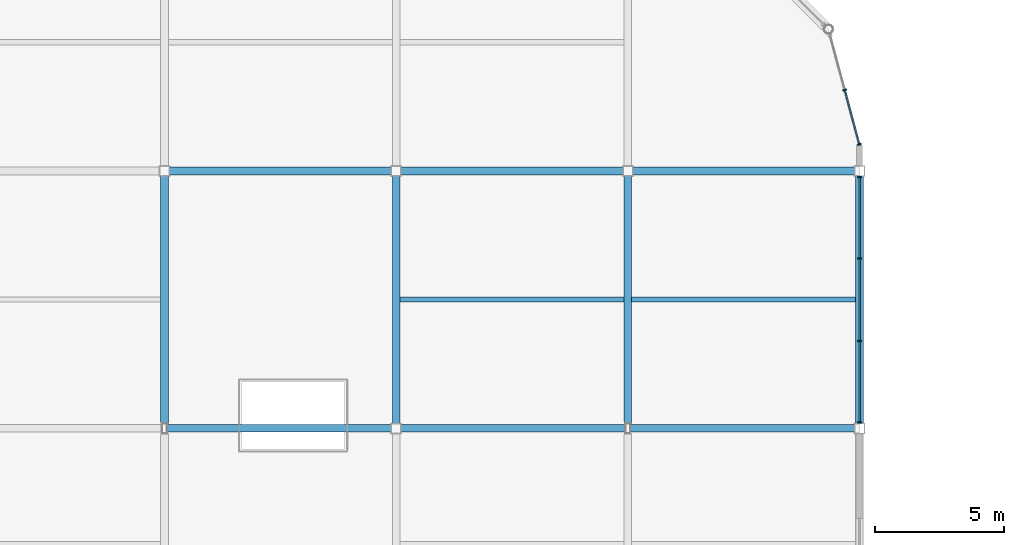
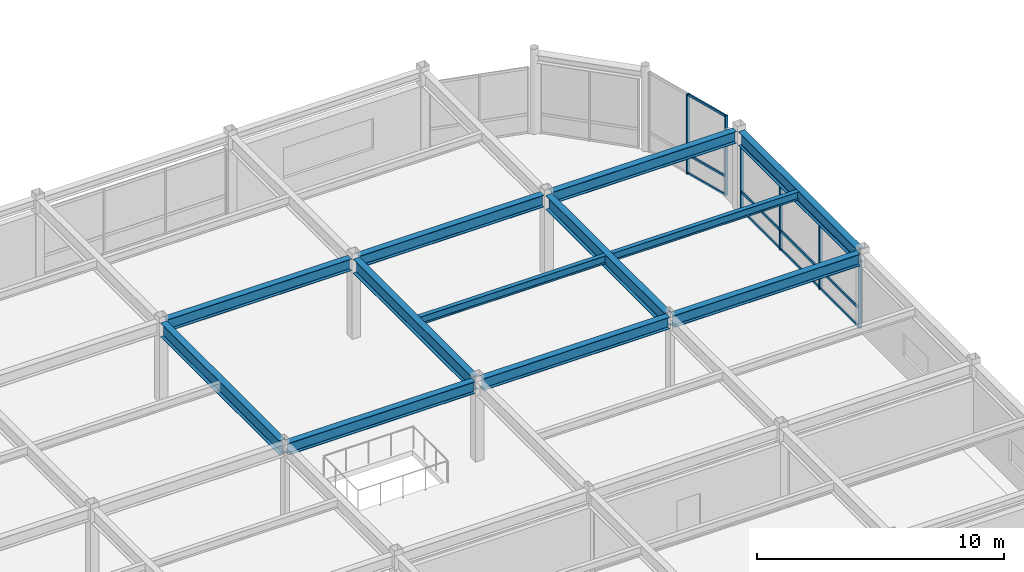
# One storey, part 50 of 108: 18 members, 12 beams, 2 elements without a shape of their own.
"""IFC4 building model written with IfcOpenShell, lengths in metres."""

from ifc_helpers import new_model, si_unit, direction, frame, origin, origin_2d, place, context, subcontext, project, spatial, rectangle, i_section, extrude, material, material_profile, profile_set, type_object, element, aggregate, save


model = new_model("IFC4")

# Units and contexts
model_context = context("Model", 3, precision=1e-05, world=origin(), true_north=direction((0.0, 1.0)))
body_context = subcontext(model_context, "Body", "Model", "MODEL_VIEW")
ifc_project = project(units=[si_unit("LENGTHUNIT", "METRE"), si_unit("AREAUNIT", "SQUARE_METRE"), si_unit("VOLUMEUNIT", "CUBIC_METRE"), si_unit("PLANEANGLEUNIT", "RADIAN"), si_unit("MASSUNIT", "GRAM", prefix="KILO")], contexts=[model_context])

# Site, building, storey
site_placement = place(None, origin())
site = spatial("IfcSite", under=ifc_project, at=site_placement, CompositionType="ELEMENT")
building_placement = place(site_placement, origin())
building = spatial("IfcBuilding", under=site, at=building_placement, Name="Suzunagisa Mobility Hub", CompositionType="ELEMENT")
storey_placement = place(building_placement, frame((0.0, 0.0, 9.300048828125)))
storey = spatial("IfcBuildingStorey", under=building, at=storey_placement, Name="L02", CompositionType="ELEMENT", Elevation=9.300048828125)

# Curtain wall, members
ifc_material_1 = material(Name="Thermally Broken Anodized Aluminum and Low-E Glazing", Category="aluminium")
curtain_wall_type_1 = type_object("IfcCurtainWallType", Name="Unitised Curtain Wall CW-07 9500x3200", PredefinedType="USERDEFINED", material=ifc_material_1)
curtain_wall_1_placement = place(storey_placement, origin())
curtain_wall_1 = element("IfcCurtainWall", 1, at=curtain_wall_1_placement, inside=storey, type_object=curtain_wall_type_1, Name="L02 Unitised Curtain Wall CW-112", ObjectType="UNITISED CURTAIN WALL", PredefinedType="USERDEFINED")
ifc_material_2 = material(Name="Anodized Aluminum 6063-T6", Category="aluminium")
ifc_material_profile_1 = material_profile(ifc_material_2, rectangle(XDim=0.06494140625, YDim=0.139892578125, at=origin_2d()), Name="TRAN-65x140")
ifc_profile_set_1 = profile_set([ifc_material_profile_1], Name="Anodized Aluminum 6063-T6")
member_type_1 = type_object("IfcMemberType", Name="Curtain Wall Framing CM-01 TRAN-65x140", PredefinedType="USERDEFINED", material=ifc_profile_set_1)
member_1_placement = place(storey_placement, frame((126.0, 98.258056640625, 0.032470703125), z_axis=(0.0, 1.0, 0.0), x_axis=(-1.0, 0.0, 0.0)))
member_1 = element("IfcMember", 2, at=member_1_placement, type_object=member_type_1, Name="Curtain Wall Transom 112-T1.1", ObjectType="TRANSOM", PredefinedType="USERDEFINED", context=body_context, shape_type="SweptSolid", body=[
    extrude(rectangle(XDim=0.06494140625, YDim=0.139892578125, at=origin_2d()), origin(), (0.0, 0.0, 1.0), 3.114013671875),
])
member_2_placement = place(storey_placement, frame((126.0, 98.258056640625, 0.949951171875), z_axis=(0.0, 1.0, 0.0), x_axis=(-1.0, 0.0, 0.0)))
member_2 = element("IfcMember", 3, at=member_2_placement, type_object=member_type_1, Name="Curtain Wall Transom 112-T1.2", ObjectType="TRANSOM", PredefinedType="USERDEFINED", context=body_context, shape_type="SweptSolid", body=[
    extrude(rectangle(XDim=0.06494140625, YDim=0.139892578125, at=origin_2d()), origin(), (0.0, 0.0, 1.0), 3.114013671875),
])
member_3_placement = place(storey_placement, frame((126.0, 98.258056640625, 3.217529296875), z_axis=(0.0, 1.0, 0.0), x_axis=(-1.0, 0.0, 0.0)))
member_3 = element("IfcMember", 4, at=member_3_placement, type_object=member_type_1, Name="Curtain Wall Transom 112-T1.3", ObjectType="TRANSOM", PredefinedType="USERDEFINED", context=body_context, shape_type="SweptSolid", body=[
    extrude(rectangle(XDim=0.06494140625, YDim=0.139892578125, at=origin_2d()), origin(), (0.0, 0.0, 1.0), 3.114013671875),
])
member_4_placement = place(storey_placement, frame((126.0, 101.427978515625, 0.032470703125), z_axis=(0.0, 1.0, 0.0), x_axis=(-1.0, 0.0, 0.0)))
member_4 = element("IfcMember", 5, at=member_4_placement, type_object=member_type_1, Name="Curtain Wall Transom 112-T2.1", ObjectType="TRANSOM", PredefinedType="USERDEFINED", context=body_context, shape_type="SweptSolid", body=[
    extrude(rectangle(XDim=0.06494140625, YDim=0.139892578125, at=origin_2d()), origin(), (0.0, 0.0, 1.0), 3.14404296875),
])
member_5_placement = place(storey_placement, frame((126.0, 101.427978515625, 0.949951171875), z_axis=(0.0, 1.0, 0.0), x_axis=(-1.0, 0.0, 0.0)))
member_5 = element("IfcMember", 6, at=member_5_placement, type_object=member_type_1, Name="Curtain Wall Transom 112-T2.2", ObjectType="TRANSOM", PredefinedType="USERDEFINED", context=body_context, shape_type="SweptSolid", body=[
    extrude(rectangle(XDim=0.06494140625, YDim=0.139892578125, at=origin_2d()), origin(), (0.0, 0.0, 1.0), 3.14404296875),
])
member_6_placement = place(storey_placement, frame((126.0, 101.427978515625, 3.217529296875), z_axis=(0.0, 1.0, 0.0), x_axis=(-1.0, 0.0, 0.0)))
member_6 = element("IfcMember", 7, at=member_6_placement, type_object=member_type_1, Name="Curtain Wall Transom 112-T2.3", ObjectType="TRANSOM", PredefinedType="USERDEFINED", context=body_context, shape_type="SweptSolid", body=[
    extrude(rectangle(XDim=0.06494140625, YDim=0.139892578125, at=origin_2d()), origin(), (0.0, 0.0, 1.0), 3.14404296875),
])
member_7_placement = place(storey_placement, frame((126.0, 104.6279296875, 0.032470703125), z_axis=(0.0, 1.0, 0.0), x_axis=(-1.0, 0.0, 0.0)))
member_7 = element("IfcMember", 8, at=member_7_placement, type_object=member_type_1, Name="Curtain Wall Transom 112-T3.1", ObjectType="TRANSOM", PredefinedType="USERDEFINED", context=body_context, shape_type="SweptSolid", body=[
    extrude(rectangle(XDim=0.06494140625, YDim=0.139892578125, at=origin_2d()), origin(), (0.0, 0.0, 1.0), 3.114013671875),
])
member_8_placement = place(storey_placement, frame((126.0, 104.6279296875, 0.949951171875), z_axis=(0.0, 1.0, 0.0), x_axis=(-1.0, 0.0, 0.0)))
member_8 = element("IfcMember", 9, at=member_8_placement, type_object=member_type_1, Name="Curtain Wall Transom 112-T3.2", ObjectType="TRANSOM", PredefinedType="USERDEFINED", context=body_context, shape_type="SweptSolid", body=[
    extrude(rectangle(XDim=0.06494140625, YDim=0.139892578125, at=origin_2d()), origin(), (0.0, 0.0, 1.0), 3.114013671875),
])
member_9_placement = place(storey_placement, frame((126.0, 104.6279296875, 3.217529296875), z_axis=(0.0, 1.0, 0.0), x_axis=(-1.0, 0.0, 0.0)))
member_9 = element("IfcMember", 10, at=member_9_placement, type_object=member_type_1, Name="Curtain Wall Transom 112-T3.3", ObjectType="TRANSOM", PredefinedType="USERDEFINED", context=body_context, shape_type="SweptSolid", body=[
    extrude(rectangle(XDim=0.06494140625, YDim=0.139892578125, at=origin_2d()), origin(), (0.0, 0.0, 1.0), 3.114013671875),
])

curtain_wall_type_2 = type_object("IfcCurtainWallType", Name="Unitised Curtain Wall CW-42 4500x4000", PredefinedType="USERDEFINED", material=ifc_material_1)
curtain_wall_2_placement = place(storey_placement, origin())
curtain_wall_2 = element("IfcCurtainWall", 11, at=curtain_wall_2_placement, inside=storey, type_object=curtain_wall_type_2, Name="L02 Unitised Curtain Wall CW-113", ObjectType="UNITISED CURTAIN WALL", PredefinedType="USERDEFINED")
ifc_material_profile_2 = material_profile(ifc_material_2, rectangle(XDim=0.06005859375, YDim=0.1201171875, at=origin_2d()), Name="TRAN-60x120")
ifc_profile_set_2 = profile_set([ifc_material_profile_2], Name="Anodized Aluminum 6063-T6")
member_type_2 = type_object("IfcMemberType", Name="Curtain Wall Framing CM-02 TRAN-60x120", PredefinedType="USERDEFINED", material=ifc_profile_set_2)
member_10_placement = place(storey_placement, frame((125.985107421875, 109.055908203125, 0.030029296875), z_axis=(-0.258808494253, 0.965928653319, 0.0), x_axis=(-0.965928653319, -0.258808494253, 0.0)))
member_10 = element("IfcMember", 12, at=member_10_placement, type_object=member_type_2, Name="Curtain Wall Transom 113-T1.1", ObjectType="TRANSOM", PredefinedType="USERDEFINED", context=body_context, shape_type="SweptSolid", body=[
    extrude(rectangle(XDim=0.06005859375, YDim=0.1201171875, at=origin_2d()), origin(), (0.0, 0.0, 1.0), 2.134765625),
])
member_11_placement = place(storey_placement, frame((125.985107421875, 109.055908203125, 0.949951171875), z_axis=(-0.258808494253, 0.965928653319, 0.0), x_axis=(-0.965928653319, -0.258808494253, 0.0)))
member_11 = element("IfcMember", 13, at=member_11_placement, type_object=member_type_2, Name="Curtain Wall Transom 113-T1.2", ObjectType="TRANSOM", PredefinedType="USERDEFINED", context=body_context, shape_type="SweptSolid", body=[
    extrude(rectangle(XDim=0.06005859375, YDim=0.1201171875, at=origin_2d()), origin(), (0.0, 0.0, 1.0), 2.134765625),
])
member_12_placement = place(storey_placement, frame((125.985107421875, 109.055908203125, 3.919921875), z_axis=(-0.258808494253, 0.965928653319, 0.0), x_axis=(-0.965928653319, -0.258808494253, 0.0)))
member_12 = element("IfcMember", 14, at=member_12_placement, type_object=member_type_2, Name="Curtain Wall Transom 113-T1.3", ObjectType="TRANSOM", PredefinedType="USERDEFINED", context=body_context, shape_type="SweptSolid", body=[
    extrude(rectangle(XDim=0.06005859375, YDim=0.1201171875, at=origin_2d()), origin(), (0.0, 0.0, 1.0), 2.134765625),
])

# Member
ifc_material_profile_3 = material_profile(ifc_material_2, rectangle(XDim=0.06005859375, YDim=0.14990234375, at=origin_2d()), Name="MULL-60x150")
ifc_profile_set_3 = profile_set([ifc_material_profile_3], Name="Anodized Aluminum 6063-T6")
member_type_3 = type_object("IfcMemberType", Name="Curtain Wall Framing CM-03 MULL-60x150", PredefinedType="MULLION", material=ifc_profile_set_3)
member_13_placement = place(storey_placement, frame((126.0, 98.22998046875, 0.0), z_axis=(0.0, 0.0, 1.0), x_axis=(0.0, 1.0, 0.0)))
member_13 = element("IfcMember", 15, at=member_13_placement, type_object=member_type_3, Name="Curtain Wall Mullion 112-M1", PredefinedType="MULLION", context=body_context, shape_type="SweptSolid", body=[
    extrude(rectangle(XDim=0.06005859375, YDim=0.14990234375, at=origin_2d()), origin(), (0.0, 0.0, 1.0), 3.25),
])

member_14_placement = place(storey_placement, frame((126.0, 101.39990234375, 0.0), z_axis=(0.0, 0.0, 1.0), x_axis=(0.0, 1.0, 0.0)))
member_14 = element("IfcMember", 16, at=member_14_placement, type_object=member_type_3, Name="Curtain Wall Mullion 112-M2", PredefinedType="MULLION", context=body_context, shape_type="SweptSolid", body=[
    extrude(rectangle(XDim=0.06005859375, YDim=0.14990234375, at=origin_2d()), origin(), (0.0, 0.0, 1.0), 3.25),
])

member_15_placement = place(storey_placement, frame((126.0, 104.60009765625, 0.0), z_axis=(0.0, 0.0, 1.0), x_axis=(0.0, 1.0, 0.0)))
member_15 = element("IfcMember", 17, at=member_15_placement, type_object=member_type_3, Name="Curtain Wall Mullion 112-M3", PredefinedType="MULLION", context=body_context, shape_type="SweptSolid", body=[
    extrude(rectangle(XDim=0.06005859375, YDim=0.14990234375, at=origin_2d()), origin(), (0.0, 0.0, 1.0), 3.25),
])

member_16_placement = place(storey_placement, frame((126.0, 107.77001953125, 0.0), z_axis=(0.0, 0.0, 1.0), x_axis=(0.0, 1.0, 0.0)))
member_16 = element("IfcMember", 18, at=member_16_placement, type_object=member_type_3, Name="Curtain Wall Mullion 112-M4", PredefinedType="MULLION", context=body_context, shape_type="SweptSolid", body=[
    extrude(rectangle(XDim=0.06005859375, YDim=0.14990234375, at=origin_2d()), origin(), (0.0, 0.0, 1.0), 3.25),
])

aggregate(curtain_wall_1, [member_13, member_14, member_15, member_16, member_1, member_2, member_3, member_4, member_5, member_6, member_7, member_8, member_9])

member_17_placement = place(storey_placement, frame((125.9921875, 109.029052734375, 0.0), z_axis=(0.0, 0.0, 1.0), x_axis=(-0.258814496501, 0.965927045072, 0.0)))
member_17 = element("IfcMember", 19, at=member_17_placement, type_object=member_type_3, Name="Curtain Wall Mullion 113-M1", PredefinedType="MULLION", context=body_context, shape_type="SweptSolid", body=[
    extrude(rectangle(XDim=0.06005859375, YDim=0.14990234375, at=origin_2d()), origin(), (0.0, 0.0, 1.0), 3.949951171875),
])

member_18_placement = place(storey_placement, frame((125.42529296875, 111.144775390625, 0.0), z_axis=(0.0, 0.0, 1.0), x_axis=(-0.258814496501, 0.965927045072, 0.0)))
member_18 = element("IfcMember", 20, at=member_18_placement, type_object=member_type_3, Name="Curtain Wall Mullion 113-M2", PredefinedType="MULLION", context=body_context, shape_type="SweptSolid", body=[
    extrude(rectangle(XDim=0.06005859375, YDim=0.14990234375, at=origin_2d()), origin(), (0.0, 0.0, 1.0), 3.949951171875),
])

aggregate(curtain_wall_2, [member_17, member_18, member_10, member_11, member_12])

# Beams
ifc_material_3 = material(Name="Steel SN490B", Category="steel")
ifc_material_profile_4 = material_profile(ifc_material_3, i_section(OverallWidth=0.300048828125, OverallDepth=0.699951171875, WebThickness=0.012939453125, FlangeThickness=0.02392578125, FilletRadius=0.01806640625, at=origin_2d()), Name="H-700x300x13x24")
ifc_profile_set_4 = profile_set([ifc_material_profile_4], Name="Steel SN490B")
beam_type_1 = type_object("IfcBeamType", Name="Steel Beam BM-11 H-700x300x13x24", PredefinedType="BEAM", material=ifc_profile_set_4)
for number, where, z_axis, x_axis, name in (
    (21, (99.0, 98.196044921875, 3.599853515625), (0.0, 1.0, 0.0), (-1.0, 0.0, 0.0), "L02 Primary Girder GY-985"),
    (22, (108.0, 98.196044921875, 3.599853515625), (0.0, 1.0, 0.0), (-1.0, 0.0, 0.0), "L02 Primary Girder GY-989"),
    (23, (117.0, 98.196044921875, 3.599853515625), (0.0, 1.0, 0.0), (-1.0, 0.0, 0.0), "L02 Primary Girder GY-993"),
    (24, (126.0, 98.196044921875, 3.599853515625), (0.0, 1.0, 0.0), (-1.0, 0.0, 0.0), "L02 Primary Girder GY-997"),
):
    element("IfcBeam", number, at=place(storey_placement, frame(where, z_axis=z_axis, x_axis=x_axis)), inside=storey, type_object=beam_type_1, Name=name, PredefinedType="BEAM", context=body_context, shape_type="SweptSolid", body=[
        extrude(i_section(OverallWidth=0.300048828125, OverallDepth=0.699951171875, WebThickness=0.012939453125, FlangeThickness=0.02392578125, FilletRadius=0.01806640625, at=origin_2d()), origin(), (0.0, 0.0, 1.0), 9.60791015625),
    ])
ifc_material_4 = material(Name="Steel SN400B", Category="steel")
ifc_material_profile_5 = material_profile(ifc_material_4, i_section(OverallWidth=0.199951171875, OverallDepth=0.39990234375, WebThickness=0.008056640625, FlangeThickness=0.012939453125, FilletRadius=0.012939453125, at=origin_2d()), Name="H-400x200x8x13")
ifc_profile_set_5 = profile_set([ifc_material_profile_5], Name="Steel SN400B")
beam_type_2 = type_object("IfcBeamType", Name="Steel Beam BM-14 H-400x200x8x13", PredefinedType="JOIST", material=ifc_profile_set_5)
for number, where, z_axis, x_axis, name in (
    (25, (108.14990234375, 103.0, 3.75), (1.0, 0.0, 0.0), (0.0, 1.0, 0.0), "L02 Composite Floor Joist J-1023"),
    (26, (117.14990234375, 103.0, 3.75), (1.0, 0.0, 0.0), (0.0, 1.0, 0.0), "L02 Composite Floor Joist J-1027"),
):
    element("IfcBeam", number, at=place(storey_placement, frame(where, z_axis=z_axis, x_axis=x_axis)), inside=storey, type_object=beam_type_2, Name=name, PredefinedType="JOIST", context=body_context, shape_type="SweptSolid", body=[
        extrude(i_section(OverallWidth=0.199951171875, OverallDepth=0.39990234375, WebThickness=0.008056640625, FlangeThickness=0.012939453125, FilletRadius=0.012939453125, at=origin_2d()), origin(), (0.0, 0.0, 1.0), 8.7001953125),
    ])
ifc_material_profile_6 = material_profile(ifc_material_3, i_section(OverallWidth=0.300048828125, OverallDepth=0.587890625, WebThickness=0.011962890625, FlangeThickness=0.02001953125, FilletRadius=0.012939453125, at=origin_2d()), Name="H-588x300x12x20")
ifc_profile_set_6 = profile_set([ifc_material_profile_6], Name="Steel SN490B")
beam_type_3 = type_object("IfcBeamType", Name="Steel Beam BM-16 H-588x300x12x20", PredefinedType="BEAM", material=ifc_profile_set_6)
for number, where, z_axis, x_axis, name in (
    (27, (99.095947265625, 98.0, 3.656005859375), (1.0, 0.0, 0.0), (0.0, 1.0, 0.0), "L02 Primary Girder GX-939"),
    (28, (108.196044921875, 98.0, 3.656005859375), (1.0, 0.0, 0.0), (0.0, 1.0, 0.0), "L02 Primary Girder GX-940"),
    (29, (117.095947265625, 98.0, 3.656005859375), (1.0, 0.0, 0.0), (0.0, 1.0, 0.0), "L02 Primary Girder GX-941"),
):
    element("IfcBeam", number, at=place(storey_placement, frame(where, z_axis=z_axis, x_axis=x_axis)), inside=storey, type_object=beam_type_3, Name=name, PredefinedType="BEAM", context=body_context, shape_type="SweptSolid", body=[
        extrude(i_section(OverallWidth=0.300048828125, OverallDepth=0.587890625, WebThickness=0.011962890625, FlangeThickness=0.02001953125, FilletRadius=0.012939453125, at=origin_2d()), origin(), (0.0, 0.0, 1.0), 8.7080078125),
    ])
for number, where, z_axis, x_axis, name in (
    (30, (99.196044921875, 108.0, 3.656005859375), (1.0, 0.0, 0.0), (0.0, 1.0, 0.0), "L02 Primary Girder GX-948"),
    (31, (108.196044921875, 108.0, 3.656005859375), (1.0, 0.0, 0.0), (0.0, 1.0, 0.0), "L02 Primary Girder GX-949"),
    (32, (117.196044921875, 108.0, 3.656005859375), (1.0, 0.0, 0.0), (0.0, 1.0, 0.0), "L02 Primary Girder GX-950"),
):
    element("IfcBeam", number, at=place(storey_placement, frame(where, z_axis=z_axis, x_axis=x_axis)), inside=storey, type_object=beam_type_3, Name=name, PredefinedType="BEAM", context=body_context, shape_type="SweptSolid", body=[
        extrude(i_section(OverallWidth=0.300048828125, OverallDepth=0.587890625, WebThickness=0.011962890625, FlangeThickness=0.02001953125, FilletRadius=0.012939453125, at=origin_2d()), origin(), (0.0, 0.0, 1.0), 8.60791015625),
    ])

save(model, "model.ifc")
